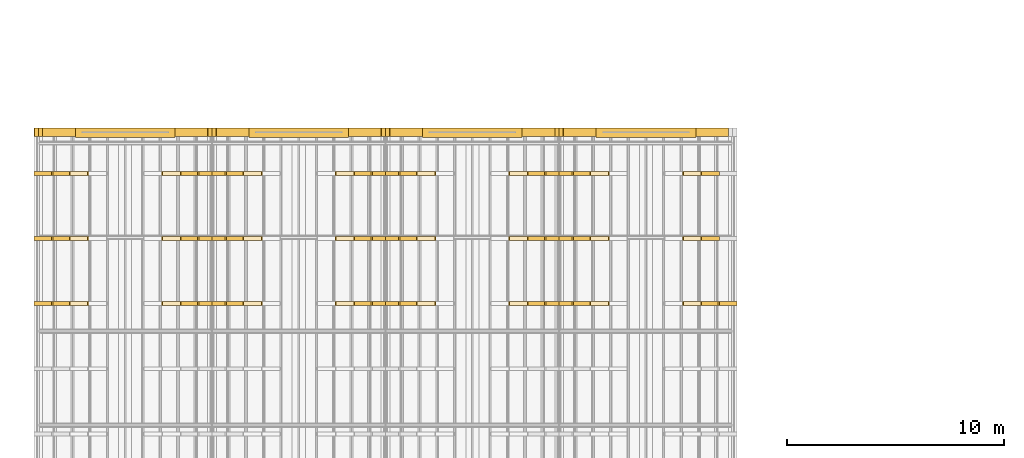
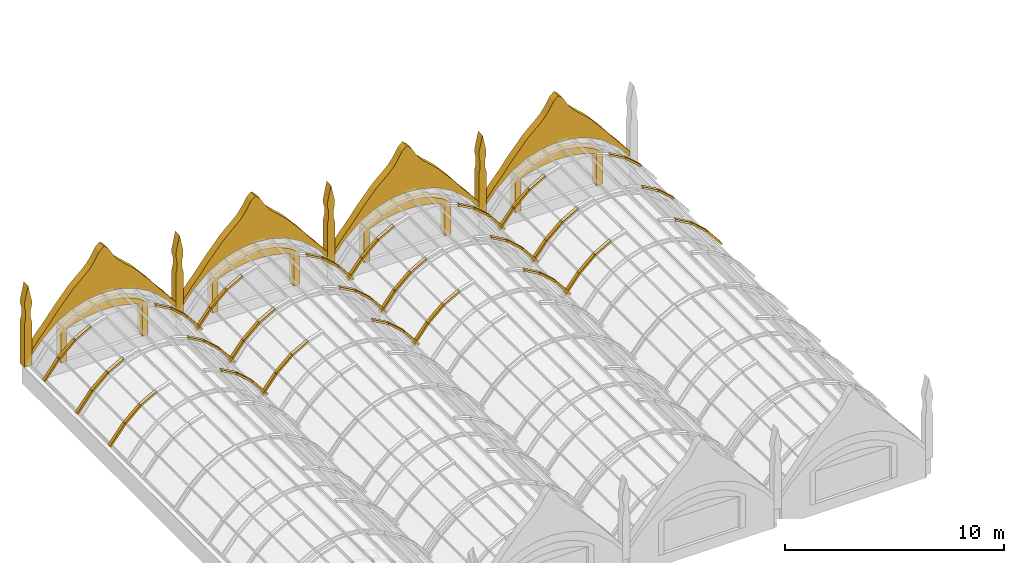
# One storey, part 100 of 111: 82 coverings.
"""IFC4 building model written with IfcOpenShell, lengths in metres."""

from ifc_helpers import new_model, si_unit, direction, frame, origin, place, context, subcontext, project, spatial, polyline, outline, extrude, material, layer, layer_set, type_object, element, save


model = new_model("IFC4")

# Units and contexts
model_context = context("Model", 3, precision=1e-05, world=origin(), true_north=direction((0.0, 1.0)))
body_context = subcontext(model_context, "Body", "Model", "MODEL_VIEW")
ifc_project = project(units=[si_unit("LENGTHUNIT", "METRE"), si_unit("AREAUNIT", "SQUARE_METRE"), si_unit("VOLUMEUNIT", "CUBIC_METRE"), si_unit("PLANEANGLEUNIT", "RADIAN"), si_unit("MASSUNIT", "GRAM", prefix="KILO")], contexts=[model_context])

# Site, building, storey
site_placement = place(None, origin())
site = spatial("IfcSite", under=ifc_project, at=site_placement, CompositionType="ELEMENT")
building_placement = place(site_placement, origin())
building = spatial("IfcBuilding", under=site, at=building_placement, Name="Kallimachos Central Library", CompositionType="ELEMENT")
storey_placement = place(building_placement, frame((0.0, 0.0, 14.39990234375)))
storey = spatial("IfcBuildingStorey", under=building, at=storey_placement, Name="L03", CompositionType="ELEMENT", Elevation=14.39990234375)

# Coverings
ifc_material_1 = material(Name="Glazed ceramic tile on stone", Category="masonry")
ifc_layer_1 = layer(ifc_material_1, 0.39990234375)
ifc_layer_set_1 = layer_set([ifc_layer_1], Name="Ceramic gable crest 400")
covering_type_1 = type_object("IfcCoveringType", Name="Ceramic gable crest 400", PredefinedType="CLADDING", material=ifc_layer_set_1)
covering_1_placement = place(storey_placement, frame((6.199951171875, 114.199951171875, 1.850341796875), z_axis=(0.0, 1.0, 0.0), x_axis=(0.624773350551, 0.0, 0.780806160607)))
element("IfcCovering", 1, at=covering_1_placement, inside=storey, type_object=covering_type_1, Name="Gable crest vault 1 north", PredefinedType="CLADDING", context=body_context, shape_type="SweptSolid", body=[
    extrude(outline(polyline([(0.0, 0.0), (0.3802160061972152, 0.0), (0.768247699060658, -0.006253834807762704), (1.128829175340277, 0.009457018489787417), (1.5001238297947062, 0.01628288957493018), (1.8913961732270728, 0.007436001310290319), (2.2748528299932116, 0.004842947853413104), (2.632574908712016, 0.02284178949526683), (2.9975407945848844, 0.03504439399821835), (3.3650229189582266, 0.04492091620909888), (3.6878603474350884, 0.09083321565145419), (4.003453968757885, 0.14254175223271148), (4.321335108129334, 0.19241989813852634), (4.65885077741838, 0.22658719074679068), (5.070748877236381, 0.2009236273428252), (5.543037484891839, 0.12725040265625465), (5.861681130279504, 0.17651841833692172), (5.839865839426135, 0.4982095795459829), (5.664405586304976, 0.9428419811222812), (5.549030775908697, 1.3390834684078667), (5.508343461153951, 1.6758753526893302), (5.487290676316798, 1.996956383673244), (5.468525409528299, 2.3162070239817147), (5.442516335585735, 2.6412539014290877), (5.371557500634116, 3.0019553030998267), (5.303419969295544, 3.3607118754866034), (5.242526245111037, 3.713672210734478), (5.1558979428791964, 4.087224441081083), (5.061453953981127, 4.467030506235451), (4.986682588948422, 4.8307825590319275), (4.922929467203099, 5.186030882624106), (4.831726128873955, 5.563243894321597), (4.748338477211036, 5.934203071211326), (4.514058503728264, 6.121665582887919), (4.6972598232722875, 5.3068822858815174), (4.750836060650669, 4.224984697425505), (4.597695725616884, 3.296612616141814), (4.282522548606483, 2.4947666822111465), (3.831508862100879, 1.8009901427923518), (3.2535379238950903, 1.2088002858606288), (2.5403366064192463, 0.7254423294569973), (1.6681530980925245, 0.37242305048747437), (0.6008454916314396, 0.18741689299840308), (-0.23427997348277285, 0.18746251167659375), (0.0, 0.0)])), origin(), (0.0, 0.0, -1.0), 0.39990234375),
])
covering_2_placement = place(storey_placement, frame((14.199951171875, 114.199951171875, 1.850341796875), z_axis=(0.0, 1.0, 0.0), x_axis=(0.624773350551, 0.0, 0.780806160607)))
element("IfcCovering", 2, at=covering_2_placement, inside=storey, type_object=covering_type_1, Name="Gable crest vault 2 north", PredefinedType="CLADDING", context=body_context, shape_type="SweptSolid", body=[
    extrude(outline(polyline([(0.0, 0.0), (0.3802160061972152, 0.0), (0.768247699060658, -0.006253834807762704), (1.128829175340277, 0.009457018489787417), (1.5001238297947062, 0.01628288957493018), (1.8913961732270728, 0.007436001310290319), (2.2748528299932116, 0.004842947853413104), (2.632574908712016, 0.02284178949526683), (2.9975407945848844, 0.03504439399821835), (3.3650229189582266, 0.04492091620909888), (3.6878603474350884, 0.09083321565145419), (4.003453968757885, 0.14254175223271148), (4.321335108129334, 0.19241989813852634), (4.65885077741838, 0.22658719074679068), (5.070748877236381, 0.2009236273428252), (5.543037484891839, 0.12725040265625465), (5.861681130279504, 0.17651841833692172), (5.839865839426135, 0.4982095795459829), (5.664405586304976, 0.9428419811222812), (5.549030775908697, 1.3390834684078667), (5.508343461153951, 1.6758753526893302), (5.487290676316798, 1.996956383673244), (5.468525409528299, 2.3162070239817147), (5.442516335585735, 2.6412539014290877), (5.371557500634116, 3.0019553030998267), (5.303419969295544, 3.3607118754866034), (5.242526245111037, 3.713672210734478), (5.1558979428791964, 4.087224441081083), (5.061453953981127, 4.467030506235451), (4.986682588948422, 4.8307825590319275), (4.922929467203099, 5.186030882624106), (4.831726128873955, 5.563243894321597), (4.748338477211036, 5.934203071211326), (4.514058503728264, 6.121665582887919), (4.6972598232722875, 5.3068822858815174), (4.750836060650669, 4.224984697425505), (4.597695725616884, 3.296612616141814), (4.282522548606483, 2.4947666822111465), (3.831508862100879, 1.8009901427923518), (3.2535379238950903, 1.2088002858606288), (2.5403366064192463, 0.7254423294569973), (1.6681530980925245, 0.37242305048747437), (0.6008454916314396, 0.18741689299840308), (-0.23427997348277285, 0.18746251167659375), (0.0, 0.0)])), origin(), (0.0, 0.0, -1.0), 0.39990234375),
])
covering_3_placement = place(storey_placement, frame((22.199951171875, 114.199951171875, 1.850341796875), z_axis=(0.0, 1.0, 0.0), x_axis=(0.624773350551, 0.0, 0.780806160607)))
element("IfcCovering", 3, at=covering_3_placement, inside=storey, type_object=covering_type_1, Name="Gable crest vault 3 north", PredefinedType="CLADDING", context=body_context, shape_type="SweptSolid", body=[
    extrude(outline(polyline([(0.0, 0.0), (0.3802160061972152, 0.0), (0.768247699060658, -0.006253834807762704), (1.128829175340277, 0.009457018489787417), (1.5001238297947062, 0.01628288957493018), (1.8913961732270728, 0.007436001310290319), (2.2748528299932116, 0.004842947853413104), (2.632574908712016, 0.02284178949526683), (2.9975407945848844, 0.03504439399821835), (3.3650229189582266, 0.04492091620909888), (3.6878603474350884, 0.09083321565145419), (4.003453968757885, 0.14254175223271148), (4.321335108129334, 0.19241989813852634), (4.65885077741838, 0.22658719074679068), (5.070748877236381, 0.2009236273428252), (5.543037484891839, 0.12725040265625465), (5.861681130279504, 0.17651841833692172), (5.839865839426135, 0.4982095795459829), (5.664405586304976, 0.9428419811222812), (5.549030775908697, 1.3390834684078667), (5.508343461153951, 1.6758753526893302), (5.487290676316798, 1.996956383673244), (5.468525409528299, 2.3162070239817147), (5.442516335585735, 2.6412539014290877), (5.371557500634116, 3.0019553030998267), (5.303419969295544, 3.3607118754866034), (5.242526245111037, 3.713672210734478), (5.1558979428791964, 4.087224441081083), (5.061453953981127, 4.467030506235451), (4.986682588948422, 4.8307825590319275), (4.922929467203099, 5.186030882624106), (4.831726128873955, 5.563243894321597), (4.748338477211036, 5.934203071211326), (4.514058503728264, 6.121665582887919), (4.6972598232722875, 5.3068822858815174), (4.750836060650669, 4.224984697425505), (4.597695725616884, 3.296612616141814), (4.282522548606483, 2.4947666822111465), (3.831508862100879, 1.8009901427923518), (3.2535379238950903, 1.2088002858606288), (2.5403366064192463, 0.7254423294569973), (1.6681530980925245, 0.37242305048747437), (0.6008454916314396, 0.18741689299840308), (-0.23427997348277285, 0.18746251167659375), (0.0, 0.0)])), origin(), (0.0, 0.0, -1.0), 0.39990234375),
])
covering_4_placement = place(storey_placement, frame((30.199951171875, 114.199951171875, 1.850341796875), z_axis=(0.0, 1.0, 0.0), x_axis=(0.624773350551, 0.0, 0.780806160607)))
element("IfcCovering", 4, at=covering_4_placement, inside=storey, type_object=covering_type_1, Name="Gable crest vault 4 north", PredefinedType="CLADDING", context=body_context, shape_type="SweptSolid", body=[
    extrude(outline(polyline([(0.0, 0.0), (0.3802160061972152, 0.0), (0.768247699060658, -0.006253834807762704), (1.128829175340277, 0.009457018489787417), (1.5001238297947062, 0.01628288957493018), (1.8913961732270728, 0.007436001310290319), (2.2748528299932116, 0.004842947853413104), (2.632574908712016, 0.02284178949526683), (2.9975407945848844, 0.03504439399821835), (3.3650229189582266, 0.04492091620909888), (3.6878603474350884, 0.09083321565145419), (4.003453968757885, 0.14254175223271148), (4.321335108129334, 0.19241989813852634), (4.65885077741838, 0.22658719074679068), (5.070748877236381, 0.2009236273428252), (5.543037484891839, 0.12725040265625465), (5.861681130279504, 0.17651841833692172), (5.839865839426135, 0.4982095795459829), (5.664405586304976, 0.9428419811222812), (5.549030775908697, 1.3390834684078667), (5.508343461153951, 1.6758753526893302), (5.487290676316798, 1.996956383673244), (5.468525409528299, 2.3162070239817147), (5.442516335585735, 2.6412539014290877), (5.371557500634116, 3.0019553030998267), (5.303419969295544, 3.3607118754866034), (5.242526245111037, 3.713672210734478), (5.1558979428791964, 4.087224441081083), (5.061453953981127, 4.467030506235451), (4.986682588948422, 4.8307825590319275), (4.922929467203099, 5.186030882624106), (4.831726128873955, 5.563243894321597), (4.748338477211036, 5.934203071211326), (4.514058503728264, 6.121665582887919), (4.6972598232722875, 5.3068822858815174), (4.750836060650669, 4.224984697425505), (4.597695725616884, 3.296612616141814), (4.282522548606483, 2.4947666822111465), (3.831508862100879, 1.8009901427923518), (3.2535379238950903, 1.2088002858606288), (2.5403366064192463, 0.7254423294569973), (1.6681530980925245, 0.37242305048747437), (0.6008454916314396, 0.18741689299840308), (-0.23427997348277285, 0.18746251167659375), (0.0, 0.0)])), origin(), (0.0, 0.0, -1.0), 0.39990234375),
])
ifc_material_2 = material(Name="Glazed ceramic roll tile")
ifc_layer_2 = layer(ifc_material_2, 0.10009765625)
ifc_layer_set_2 = layer_set([ifc_layer_2], Name="Ceramic roll tile rib 180")
covering_type_2 = type_object("IfcCoveringType", Name="Ceramic roll tile rib 180", PredefinedType="ROOFING", material=ifc_layer_set_2)
for number, where, z_axis, x_axis, name in (
    (5, (5.8056640625, 106.010009765625, 1.313720703125), (-0.780793550648, 0.0, 0.624789109434), (0.624789109434, 0.0, 0.780793550648), "Barrel roof 1 roll tile rib"),
    (6, (5.8056640625, 109.010009765625, 1.313720703125), (-0.780793550648, 0.0, 0.624789109434), (0.624789109434, 0.0, 0.780793550648), "Barrel roof 1 roll tile rib"),
    (7, (5.8056640625, 112.010009765625, 1.313720703125), (-0.780793550648, 0.0, 0.624789109434), (0.624789109434, 0.0, 0.780793550648), "Barrel roof 1 roll tile rib"),
):
    element("IfcCovering", number, at=place(storey_placement, frame(where, z_axis=z_axis, x_axis=x_axis)), inside=storey, type_object=covering_type_2, Name=name, PredefinedType="ROOFING", context=body_context, shape_type="SweptSolid", body=[
        extrude(outline(polyline([(0.0, 0.0), (1.266052197543391, 0.0), (1.266052197543391, 0.179931640625), (0.0, 0.179931640625), (0.0, 0.0)])), origin(), (0.0, 0.0, -1.0), 0.10009765625),
    ])
for number, where, z_axis, x_axis, name in (
    (8, (6.61572265625, 106.010009765625, 2.322021484375), (-0.662753768907, 0.0, 0.74883739343), (0.74883739343, 0.0, 0.662753768907), "Barrel roof 1 roll tile rib"),
    (9, (6.61572265625, 109.010009765625, 2.322021484375), (-0.662753768907, 0.0, 0.74883739343), (0.74883739343, 0.0, 0.662753768907), "Barrel roof 1 roll tile rib"),
    (10, (6.61572265625, 112.010009765625, 2.322021484375), (-0.662753768907, 0.0, 0.74883739343), (0.74883739343, 0.0, 0.662753768907), "Barrel roof 1 roll tile rib"),
):
    element("IfcCovering", number, at=place(storey_placement, frame(where, z_axis=z_axis, x_axis=x_axis)), inside=storey, type_object=covering_type_2, Name=name, PredefinedType="ROOFING", context=body_context, shape_type="SweptSolid", body=[
        extrude(outline(polyline([(0.0, 0.0), (1.0833851300597055, 0.0), (1.0833851300597055, 0.17993164062500003), (0.0, 0.17993164062500003), (0.0, 0.0)])), origin(), (0.0, 0.0, -1.0), 0.10009765625),
    ])
for number, where, z_axis, x_axis, name in (
    (11, (7.45458984375, 106.010009765625, 3.059814453125), (-0.4891643141, 0.0, 0.872191649703), (0.872191649703, 0.0, 0.4891643141), "Barrel roof 1 roll tile rib"),
    (12, (7.45458984375, 109.010009765625, 3.059814453125), (-0.4891643141, 0.0, 0.872191649703), (0.872191649703, 0.0, 0.4891643141), "Barrel roof 1 roll tile rib"),
    (13, (7.45458984375, 112.010009765625, 3.059814453125), (-0.4891643141, 0.0, 0.872191649703), (0.872191649703, 0.0, 0.4891643141), "Barrel roof 1 roll tile rib"),
    (14, (11.724853515625, 106.010009765625, 3.52001953125), (0.4891643141, 0.0, 0.872191649703), (0.872191649703, 0.0, -0.4891643141), "Barrel roof 1 roll tile rib"),
    (15, (11.724853515625, 109.010009765625, 3.52001953125), (0.4891643141, 0.0, 0.872191649703), (0.872191649703, 0.0, -0.4891643141), "Barrel roof 1 roll tile rib"),
    (16, (11.724853515625, 112.010009765625, 3.52001953125), (0.4891643141, 0.0, 0.872191649703), (0.872191649703, 0.0, -0.4891643141), "Barrel roof 1 roll tile rib"),
):
    element("IfcCovering", number, at=place(storey_placement, frame(where, z_axis=z_axis, x_axis=x_axis)), inside=storey, type_object=covering_type_2, Name=name, PredefinedType="ROOFING", context=body_context, shape_type="SweptSolid", body=[
        extrude(outline(polyline([(0.0, 0.0), (0.9407985514475578, 0.0), (0.9407985514475578, 0.179931640625), (0.0, 0.179931640625), (0.0, 0.0)])), origin(), (0.0, 0.0, -1.0), 0.10009765625),
    ])
for number, where, z_axis, x_axis, name in (
    (17, (12.572998046875, 106.010009765625, 3.0400390625), (0.662753768907, 0.0, 0.74883739343), (0.74883739343, 0.0, -0.662753768907), "Barrel roof 1 roll tile rib"),
    (18, (12.572998046875, 109.010009765625, 3.0400390625), (0.662753768907, 0.0, 0.74883739343), (0.74883739343, 0.0, -0.662753768907), "Barrel roof 1 roll tile rib"),
    (19, (12.572998046875, 112.010009765625, 3.0400390625), (0.662753768907, 0.0, 0.74883739343), (0.74883739343, 0.0, -0.662753768907), "Barrel roof 1 roll tile rib"),
):
    element("IfcCovering", number, at=place(storey_placement, frame(where, z_axis=z_axis, x_axis=x_axis)), inside=storey, type_object=covering_type_2, Name=name, PredefinedType="ROOFING", context=body_context, shape_type="SweptSolid", body=[
        extrude(outline(polyline([(0.0, 0.0), (1.0833851300597055, 0.0), (1.0833851300597055, 0.17993164062500003), (0.0, 0.17993164062500003), (0.0, 0.0)])), origin(), (0.0, 0.0, -1.0), 0.10009765625),
    ])
for number, where, z_axis, x_axis, name in (
    (20, (13.4033203125, 106.010009765625, 2.30224609375), (0.780793550648, 0.0, 0.624789109434), (0.624789109434, 0.0, -0.780793550648), "Barrel roof 1 roll tile rib"),
    (21, (13.4033203125, 109.010009765625, 2.30224609375), (0.780793550648, 0.0, 0.624789109434), (0.624789109434, 0.0, -0.780793550648), "Barrel roof 1 roll tile rib"),
    (22, (13.4033203125, 112.010009765625, 2.30224609375), (0.780793550648, 0.0, 0.624789109434), (0.624789109434, 0.0, -0.780793550648), "Barrel roof 1 roll tile rib"),
    (23, (13.8056640625, 106.010009765625, 1.313720703125), (-0.780793550648, 0.0, 0.624789109434), (0.624789109434, 0.0, 0.780793550648), "Barrel roof 2 roll tile rib"),
    (24, (13.8056640625, 109.010009765625, 1.313720703125), (-0.780793550648, 0.0, 0.624789109434), (0.624789109434, 0.0, 0.780793550648), "Barrel roof 2 roll tile rib"),
    (25, (13.8056640625, 112.010009765625, 1.313720703125), (-0.780793550648, 0.0, 0.624789109434), (0.624789109434, 0.0, 0.780793550648), "Barrel roof 2 roll tile rib"),
):
    element("IfcCovering", number, at=place(storey_placement, frame(where, z_axis=z_axis, x_axis=x_axis)), inside=storey, type_object=covering_type_2, Name=name, PredefinedType="ROOFING", context=body_context, shape_type="SweptSolid", body=[
        extrude(outline(polyline([(0.0, 0.0), (1.266052197543391, 0.0), (1.266052197543391, 0.179931640625), (0.0, 0.179931640625), (0.0, 0.0)])), origin(), (0.0, 0.0, -1.0), 0.10009765625),
    ])
for number, where, z_axis, x_axis, name in (
    (26, (14.61572265625, 106.010009765625, 2.322021484375), (-0.662753768907, 0.0, 0.74883739343), (0.74883739343, 0.0, 0.662753768907), "Barrel roof 2 roll tile rib"),
    (27, (14.61572265625, 109.010009765625, 2.322021484375), (-0.662753768907, 0.0, 0.74883739343), (0.74883739343, 0.0, 0.662753768907), "Barrel roof 2 roll tile rib"),
    (28, (14.61572265625, 112.010009765625, 2.322021484375), (-0.662753768907, 0.0, 0.74883739343), (0.74883739343, 0.0, 0.662753768907), "Barrel roof 2 roll tile rib"),
):
    element("IfcCovering", number, at=place(storey_placement, frame(where, z_axis=z_axis, x_axis=x_axis)), inside=storey, type_object=covering_type_2, Name=name, PredefinedType="ROOFING", context=body_context, shape_type="SweptSolid", body=[
        extrude(outline(polyline([(0.0, 0.0), (1.0833851300597055, 0.0), (1.0833851300597055, 0.17993164062500003), (0.0, 0.17993164062500003), (0.0, 0.0)])), origin(), (0.0, 0.0, -1.0), 0.10009765625),
    ])
for number, where, z_axis, x_axis, name in (
    (29, (15.45458984375, 106.010009765625, 3.059814453125), (-0.4891643141, 0.0, 0.872191649703), (0.872191649703, 0.0, 0.4891643141), "Barrel roof 2 roll tile rib"),
    (30, (15.45458984375, 109.010009765625, 3.059814453125), (-0.4891643141, 0.0, 0.872191649703), (0.872191649703, 0.0, 0.4891643141), "Barrel roof 2 roll tile rib"),
    (31, (15.45458984375, 112.010009765625, 3.059814453125), (-0.4891643141, 0.0, 0.872191649703), (0.872191649703, 0.0, 0.4891643141), "Barrel roof 2 roll tile rib"),
    (32, (19.724853515625, 106.010009765625, 3.52001953125), (0.4891643141, 0.0, 0.872191649703), (0.872191649703, 0.0, -0.4891643141), "Barrel roof 2 roll tile rib"),
    (33, (19.724853515625, 109.010009765625, 3.52001953125), (0.4891643141, 0.0, 0.872191649703), (0.872191649703, 0.0, -0.4891643141), "Barrel roof 2 roll tile rib"),
    (34, (19.724853515625, 112.010009765625, 3.52001953125), (0.4891643141, 0.0, 0.872191649703), (0.872191649703, 0.0, -0.4891643141), "Barrel roof 2 roll tile rib"),
):
    element("IfcCovering", number, at=place(storey_placement, frame(where, z_axis=z_axis, x_axis=x_axis)), inside=storey, type_object=covering_type_2, Name=name, PredefinedType="ROOFING", context=body_context, shape_type="SweptSolid", body=[
        extrude(outline(polyline([(0.0, 0.0), (0.9407985514475578, 0.0), (0.9407985514475578, 0.179931640625), (0.0, 0.179931640625), (0.0, 0.0)])), origin(), (0.0, 0.0, -1.0), 0.10009765625),
    ])
for number, where, z_axis, x_axis, name in (
    (35, (20.572998046875, 106.010009765625, 3.0400390625), (0.662753768907, 0.0, 0.74883739343), (0.74883739343, 0.0, -0.662753768907), "Barrel roof 2 roll tile rib"),
    (36, (20.572998046875, 109.010009765625, 3.0400390625), (0.662753768907, 0.0, 0.74883739343), (0.74883739343, 0.0, -0.662753768907), "Barrel roof 2 roll tile rib"),
    (37, (20.572998046875, 112.010009765625, 3.0400390625), (0.662753768907, 0.0, 0.74883739343), (0.74883739343, 0.0, -0.662753768907), "Barrel roof 2 roll tile rib"),
):
    element("IfcCovering", number, at=place(storey_placement, frame(where, z_axis=z_axis, x_axis=x_axis)), inside=storey, type_object=covering_type_2, Name=name, PredefinedType="ROOFING", context=body_context, shape_type="SweptSolid", body=[
        extrude(outline(polyline([(0.0, 0.0), (1.0833851300597055, 0.0), (1.0833851300597055, 0.17993164062500003), (0.0, 0.17993164062500003), (0.0, 0.0)])), origin(), (0.0, 0.0, -1.0), 0.10009765625),
    ])
for number, where, z_axis, x_axis, name in (
    (38, (21.4033203125, 106.010009765625, 2.30224609375), (0.780793550648, 0.0, 0.624789109434), (0.624789109434, 0.0, -0.780793550648), "Barrel roof 2 roll tile rib"),
    (39, (21.4033203125, 109.010009765625, 2.30224609375), (0.780793550648, 0.0, 0.624789109434), (0.624789109434, 0.0, -0.780793550648), "Barrel roof 2 roll tile rib"),
    (40, (21.4033203125, 112.010009765625, 2.30224609375), (0.780793550648, 0.0, 0.624789109434), (0.624789109434, 0.0, -0.780793550648), "Barrel roof 2 roll tile rib"),
    (41, (21.8056640625, 106.010009765625, 1.313720703125), (-0.780793550648, 0.0, 0.624789109434), (0.624789109434, 0.0, 0.780793550648), "Barrel roof 3 roll tile rib"),
    (42, (21.8056640625, 109.010009765625, 1.313720703125), (-0.780793550648, 0.0, 0.624789109434), (0.624789109434, 0.0, 0.780793550648), "Barrel roof 3 roll tile rib"),
    (43, (21.8056640625, 112.010009765625, 1.313720703125), (-0.780793550648, 0.0, 0.624789109434), (0.624789109434, 0.0, 0.780793550648), "Barrel roof 3 roll tile rib"),
):
    element("IfcCovering", number, at=place(storey_placement, frame(where, z_axis=z_axis, x_axis=x_axis)), inside=storey, type_object=covering_type_2, Name=name, PredefinedType="ROOFING", context=body_context, shape_type="SweptSolid", body=[
        extrude(outline(polyline([(0.0, 0.0), (1.266052197543391, 0.0), (1.266052197543391, 0.179931640625), (0.0, 0.179931640625), (0.0, 0.0)])), origin(), (0.0, 0.0, -1.0), 0.10009765625),
    ])
for number, where, z_axis, x_axis, name in (
    (44, (22.61572265625, 106.010009765625, 2.322021484375), (-0.662753768907, 0.0, 0.74883739343), (0.74883739343, 0.0, 0.662753768907), "Barrel roof 3 roll tile rib"),
    (45, (22.61572265625, 109.010009765625, 2.322021484375), (-0.662753768907, 0.0, 0.74883739343), (0.74883739343, 0.0, 0.662753768907), "Barrel roof 3 roll tile rib"),
    (46, (22.61572265625, 112.010009765625, 2.322021484375), (-0.662753768907, 0.0, 0.74883739343), (0.74883739343, 0.0, 0.662753768907), "Barrel roof 3 roll tile rib"),
):
    element("IfcCovering", number, at=place(storey_placement, frame(where, z_axis=z_axis, x_axis=x_axis)), inside=storey, type_object=covering_type_2, Name=name, PredefinedType="ROOFING", context=body_context, shape_type="SweptSolid", body=[
        extrude(outline(polyline([(0.0, 0.0), (1.0833851300597055, 0.0), (1.0833851300597055, 0.17993164062500003), (0.0, 0.17993164062500003), (0.0, 0.0)])), origin(), (0.0, 0.0, -1.0), 0.10009765625),
    ])
for number, where, z_axis, x_axis, name in (
    (47, (23.45458984375, 106.010009765625, 3.059814453125), (-0.4891643141, 0.0, 0.872191649703), (0.872191649703, 0.0, 0.4891643141), "Barrel roof 3 roll tile rib"),
    (48, (23.45458984375, 109.010009765625, 3.059814453125), (-0.4891643141, 0.0, 0.872191649703), (0.872191649703, 0.0, 0.4891643141), "Barrel roof 3 roll tile rib"),
    (49, (23.45458984375, 112.010009765625, 3.059814453125), (-0.4891643141, 0.0, 0.872191649703), (0.872191649703, 0.0, 0.4891643141), "Barrel roof 3 roll tile rib"),
    (50, (27.724853515625, 106.010009765625, 3.52001953125), (0.4891643141, 0.0, 0.872191649703), (0.872191649703, 0.0, -0.4891643141), "Barrel roof 3 roll tile rib"),
    (51, (27.724853515625, 109.010009765625, 3.52001953125), (0.4891643141, 0.0, 0.872191649703), (0.872191649703, 0.0, -0.4891643141), "Barrel roof 3 roll tile rib"),
    (52, (27.724853515625, 112.010009765625, 3.52001953125), (0.4891643141, 0.0, 0.872191649703), (0.872191649703, 0.0, -0.4891643141), "Barrel roof 3 roll tile rib"),
):
    element("IfcCovering", number, at=place(storey_placement, frame(where, z_axis=z_axis, x_axis=x_axis)), inside=storey, type_object=covering_type_2, Name=name, PredefinedType="ROOFING", context=body_context, shape_type="SweptSolid", body=[
        extrude(outline(polyline([(0.0, 0.0), (0.9407985514475578, 0.0), (0.9407985514475578, 0.179931640625), (0.0, 0.179931640625), (0.0, 0.0)])), origin(), (0.0, 0.0, -1.0), 0.10009765625),
    ])
for number, where, z_axis, x_axis, name in (
    (53, (28.572998046875, 106.010009765625, 3.0400390625), (0.662753768907, 0.0, 0.74883739343), (0.74883739343, 0.0, -0.662753768907), "Barrel roof 3 roll tile rib"),
    (54, (28.572998046875, 109.010009765625, 3.0400390625), (0.662753768907, 0.0, 0.74883739343), (0.74883739343, 0.0, -0.662753768907), "Barrel roof 3 roll tile rib"),
    (55, (28.572998046875, 112.010009765625, 3.0400390625), (0.662753768907, 0.0, 0.74883739343), (0.74883739343, 0.0, -0.662753768907), "Barrel roof 3 roll tile rib"),
):
    element("IfcCovering", number, at=place(storey_placement, frame(where, z_axis=z_axis, x_axis=x_axis)), inside=storey, type_object=covering_type_2, Name=name, PredefinedType="ROOFING", context=body_context, shape_type="SweptSolid", body=[
        extrude(outline(polyline([(0.0, 0.0), (1.0833851300597055, 0.0), (1.0833851300597055, 0.17993164062500003), (0.0, 0.17993164062500003), (0.0, 0.0)])), origin(), (0.0, 0.0, -1.0), 0.10009765625),
    ])
for number, where, z_axis, x_axis, name in (
    (56, (29.4033203125, 106.010009765625, 2.30224609375), (0.780793550648, 0.0, 0.624789109434), (0.624789109434, 0.0, -0.780793550648), "Barrel roof 3 roll tile rib"),
    (57, (29.4033203125, 109.010009765625, 2.30224609375), (0.780793550648, 0.0, 0.624789109434), (0.624789109434, 0.0, -0.780793550648), "Barrel roof 3 roll tile rib"),
    (58, (29.4033203125, 112.010009765625, 2.30224609375), (0.780793550648, 0.0, 0.624789109434), (0.624789109434, 0.0, -0.780793550648), "Barrel roof 3 roll tile rib"),
    (59, (29.8056640625, 106.010009765625, 1.313720703125), (-0.780793550648, 0.0, 0.624789109434), (0.624789109434, 0.0, 0.780793550648), "Barrel roof 4 roll tile rib"),
    (60, (29.8056640625, 109.010009765625, 1.313720703125), (-0.780793550648, 0.0, 0.624789109434), (0.624789109434, 0.0, 0.780793550648), "Barrel roof 4 roll tile rib"),
    (61, (29.8056640625, 112.010009765625, 1.313720703125), (-0.780793550648, 0.0, 0.624789109434), (0.624789109434, 0.0, 0.780793550648), "Barrel roof 4 roll tile rib"),
):
    element("IfcCovering", number, at=place(storey_placement, frame(where, z_axis=z_axis, x_axis=x_axis)), inside=storey, type_object=covering_type_2, Name=name, PredefinedType="ROOFING", context=body_context, shape_type="SweptSolid", body=[
        extrude(outline(polyline([(0.0, 0.0), (1.266052197543391, 0.0), (1.266052197543391, 0.179931640625), (0.0, 0.179931640625), (0.0, 0.0)])), origin(), (0.0, 0.0, -1.0), 0.10009765625),
    ])
for number, where, z_axis, x_axis, name in (
    (62, (30.61572265625, 106.010009765625, 2.322021484375), (-0.662753768907, 0.0, 0.74883739343), (0.74883739343, 0.0, 0.662753768907), "Barrel roof 4 roll tile rib"),
    (63, (30.61572265625, 109.010009765625, 2.322021484375), (-0.662753768907, 0.0, 0.74883739343), (0.74883739343, 0.0, 0.662753768907), "Barrel roof 4 roll tile rib"),
    (64, (30.61572265625, 112.010009765625, 2.322021484375), (-0.662753768907, 0.0, 0.74883739343), (0.74883739343, 0.0, 0.662753768907), "Barrel roof 4 roll tile rib"),
):
    element("IfcCovering", number, at=place(storey_placement, frame(where, z_axis=z_axis, x_axis=x_axis)), inside=storey, type_object=covering_type_2, Name=name, PredefinedType="ROOFING", context=body_context, shape_type="SweptSolid", body=[
        extrude(outline(polyline([(0.0, 0.0), (1.0833851300597055, 0.0), (1.0833851300597055, 0.17993164062500003), (0.0, 0.17993164062500003), (0.0, 0.0)])), origin(), (0.0, 0.0, -1.0), 0.10009765625),
    ])
for number, where, z_axis, x_axis, name in (
    (65, (31.45458984375, 106.010009765625, 3.059814453125), (-0.4891643141, 0.0, 0.872191649703), (0.872191649703, 0.0, 0.4891643141), "Barrel roof 4 roll tile rib"),
    (66, (31.45458984375, 109.010009765625, 3.059814453125), (-0.4891643141, 0.0, 0.872191649703), (0.872191649703, 0.0, 0.4891643141), "Barrel roof 4 roll tile rib"),
    (67, (31.45458984375, 112.010009765625, 3.059814453125), (-0.4891643141, 0.0, 0.872191649703), (0.872191649703, 0.0, 0.4891643141), "Barrel roof 4 roll tile rib"),
    (68, (35.724853515625, 106.010009765625, 3.52001953125), (0.4891643141, 0.0, 0.872191649703), (0.872191649703, 0.0, -0.4891643141), "Barrel roof 4 roll tile rib"),
    (69, (35.724853515625, 109.010009765625, 3.52001953125), (0.4891643141, 0.0, 0.872191649703), (0.872191649703, 0.0, -0.4891643141), "Barrel roof 4 roll tile rib"),
    (70, (35.724853515625, 112.010009765625, 3.52001953125), (0.4891643141, 0.0, 0.872191649703), (0.872191649703, 0.0, -0.4891643141), "Barrel roof 4 roll tile rib"),
):
    element("IfcCovering", number, at=place(storey_placement, frame(where, z_axis=z_axis, x_axis=x_axis)), inside=storey, type_object=covering_type_2, Name=name, PredefinedType="ROOFING", context=body_context, shape_type="SweptSolid", body=[
        extrude(outline(polyline([(0.0, 0.0), (0.9407985514475578, 0.0), (0.9407985514475578, 0.179931640625), (0.0, 0.179931640625), (0.0, 0.0)])), origin(), (0.0, 0.0, -1.0), 0.10009765625),
    ])
for number, where, z_axis, x_axis, name in (
    (71, (36.572998046875, 106.010009765625, 3.0400390625), (0.662753768907, 0.0, 0.74883739343), (0.74883739343, 0.0, -0.662753768907), "Barrel roof 4 roll tile rib"),
    (72, (36.572998046875, 109.010009765625, 3.0400390625), (0.662753768907, 0.0, 0.74883739343), (0.74883739343, 0.0, -0.662753768907), "Barrel roof 4 roll tile rib"),
    (73, (36.572998046875, 112.010009765625, 3.0400390625), (0.662753768907, 0.0, 0.74883739343), (0.74883739343, 0.0, -0.662753768907), "Barrel roof 4 roll tile rib"),
):
    element("IfcCovering", number, at=place(storey_placement, frame(where, z_axis=z_axis, x_axis=x_axis)), inside=storey, type_object=covering_type_2, Name=name, PredefinedType="ROOFING", context=body_context, shape_type="SweptSolid", body=[
        extrude(outline(polyline([(0.0, 0.0), (1.0833851300597055, 0.0), (1.0833851300597055, 0.17993164062500003), (0.0, 0.17993164062500003), (0.0, 0.0)])), origin(), (0.0, 0.0, -1.0), 0.10009765625),
    ])
covering_5_placement = place(storey_placement, frame((37.4033203125, 106.010009765625, 2.30224609375), z_axis=(0.780793550648, 0.0, 0.624789109434), x_axis=(0.624789109434, 0.0, -0.780793550648)))
element("IfcCovering", 74, at=covering_5_placement, inside=storey, type_object=covering_type_2, Name="Barrel roof 4 roll tile rib", PredefinedType="ROOFING", context=body_context, shape_type="SweptSolid", body=[
    extrude(outline(polyline([(0.0, 0.0), (1.266052197543391, 0.0), (1.266052197543391, 0.179931640625), (0.0, 0.179931640625), (0.0, 0.0)])), origin(), (0.0, 0.0, -1.0), 0.10009765625),
])
ifc_material_3 = material(Name="Pentelic marble arch ring", Category="masonry")
ifc_layer_3 = layer(ifc_material_3, 0.449951171875)
ifc_layer_set_3 = layer_set([ifc_layer_3], Name="Stone gable window ring 450")
covering_type_3 = type_object("IfcCoveringType", Name="Stone gable window ring 450", PredefinedType="MOLDING", material=ifc_layer_set_3)
for number, where, z_axis, x_axis, name in (
    (75, (7.699951171875, 114.199951171875, 0.60009765625), (0.0, 1.0, 0.0), (0.0, 0.0, 1.0), "Vault gable window ring"),
    (76, (15.699951171875, 114.199951171875, 0.60009765625), (0.0, 1.0, 0.0), (0.0, 0.0, 1.0), "Vault gable window ring"),
    (77, (23.699951171875, 114.199951171875, 0.60009765625), (0.0, 1.0, 0.0), (0.0, 0.0, 1.0), "Vault gable window ring"),
    (78, (31.699951171875, 114.199951171875, 0.60009765625), (0.0, 1.0, 0.0), (0.0, 0.0, 1.0), "Vault gable window ring"),
):
    element("IfcCovering", number, at=place(storey_placement, frame(where, z_axis=z_axis, x_axis=x_axis)), inside=storey, type_object=covering_type_3, Name=name, PredefinedType="MOLDING", context=body_context, shape_type="SweptSolid", body=[
        extrude(outline(polyline([(0.0, 0.0), (1.800048828125, 0.0), (2.1337890625, 0.4599609375), (2.36962890625, 0.920166015625), (2.5283203125, 1.380126953125), (2.6201171875, 1.840087890625), (2.64990234375, 2.300048828125), (2.6201171875, 2.760009765625), (2.5283203125, 3.219970703125), (2.36962890625, 3.679931640625), (2.1337890625, 4.14013671875), (1.800048828125, 4.60009765625), (0.0, 4.60009765625), (0.0, 4.300048828125), (1.800048828125, 4.300048828125), (1.94775390625, 3.900146484375), (2.0595703125, 3.5), (2.13818359375, 3.10009765625), (2.1845703125, 2.699951171875), (2.199951171875, 2.300048828125), (2.1845703125, 1.900146484375), (2.13818359375, 1.5), (2.0595703125, 1.10009765625), (1.94775390625, 0.699951171875), (1.800048828125, 0.300048828125), (0.0, 0.300048828125), (0.0, 0.0)])), origin(), (0.0, 0.0, -1.0), 0.449951171875),
    ])
ifc_material_4 = material(Name="Pentelic marble pinnacle", Category="masonry")
ifc_layer_4 = layer(ifc_material_4, 0.39990234375)
ifc_layer_set_4 = layer_set([ifc_layer_4], Name="Stone pinnacle 400")
covering_type_4 = type_object("IfcCoveringType", Name="Stone pinnacle 400", PredefinedType="MOLDING", material=ifc_layer_set_4)
for number, where, z_axis, x_axis, name in (
    (79, (5.800048828125, 114.199951171875, 1.0), (0.0, 1.0, 0.0), (0.0, 0.0, 1.0), "Pinnacle line 1 north"),
    (80, (13.800048828125, 114.199951171875, 1.0), (0.0, 1.0, 0.0), (0.0, 0.0, 1.0), "Pinnacle line 2 north"),
    (81, (21.800048828125, 114.199951171875, 1.0), (0.0, 1.0, 0.0), (0.0, 0.0, 1.0), "Pinnacle line 3 north"),
    (82, (29.800048828125, 114.199951171875, 1.0), (0.0, 1.0, 0.0), (0.0, 0.0, 1.0), "Pinnacle line 4 north"),
):
    element("IfcCovering", number, at=place(storey_placement, frame(where, z_axis=z_axis, x_axis=x_axis)), inside=storey, type_object=covering_type_4, Name=name, PredefinedType="MOLDING", context=body_context, shape_type="SweptSolid", body=[
        extrude(outline(polyline([(0.0, 0.0), (2.400146484375, 0.0), (2.7001953125, 0.070068359375), (3.10009765625, 0.070068359375), (3.35009765625, 0.010009765625), (3.60009765625, 0.010009765625), (4.5, 0.199951171875), (3.60009765625, 0.389892578125), (3.35009765625, 0.389892578125), (3.10009765625, 0.329833984375), (2.7001953125, 0.329833984375), (2.400146484375, 0.39990234375), (0.0, 0.39990234375), (0.0, 0.199951171875), (0.0, 0.0)])), origin(), (0.0, 0.0, -1.0), 0.39990234375),
    ])

save(model, "model.ifc")
